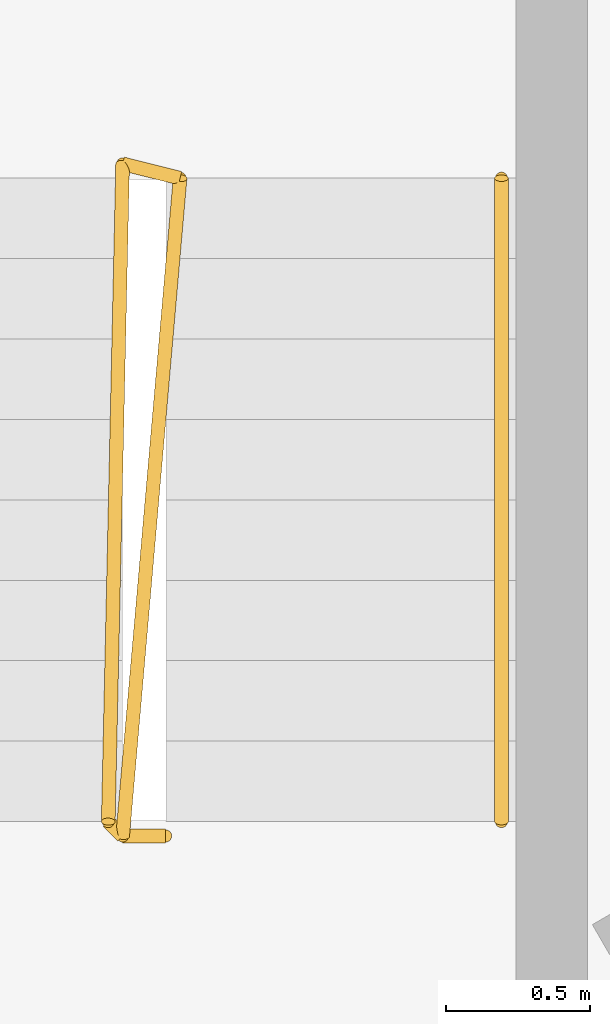
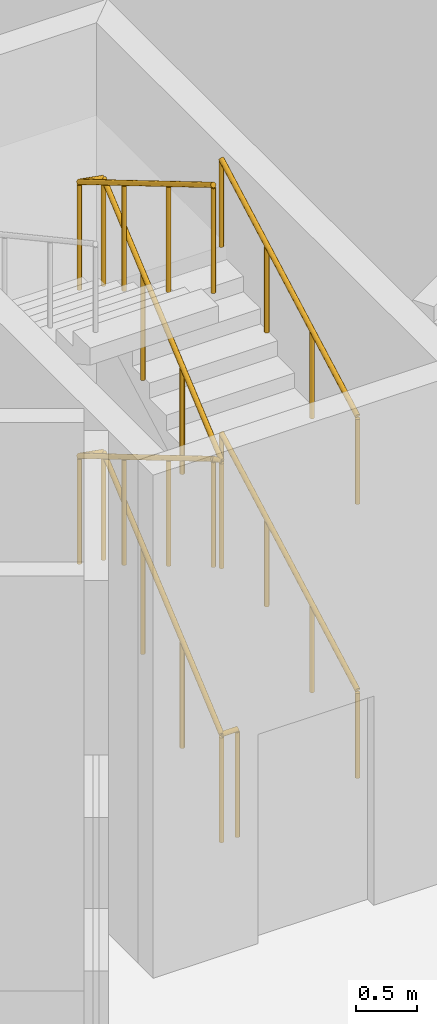
# One storey, part 9 of 10: 3 railings.
"""IFC4 building model written with IfcOpenShell, lengths in metres."""

from ifc_helpers import new_model, si_unit, direction, frame, origin, origin_2d, place, context, subcontext, project, spatial, circle, extrude, material, type_object, element, save


model = new_model("IFC4")

# Units and contexts
model_context = context("Model", 3, precision=1e-05, world=origin(), true_north=direction((0.0, 1.0)))
body_context = subcontext(model_context, "Body", "Model", "MODEL_VIEW")
ifc_project = project(units=[si_unit("LENGTHUNIT", "METRE"), si_unit("AREAUNIT", "SQUARE_METRE"), si_unit("VOLUMEUNIT", "CUBIC_METRE"), si_unit("PLANEANGLEUNIT", "RADIAN"), si_unit("MASSUNIT", "GRAM", prefix="KILO")], contexts=[model_context])

# Site, building, storey
site_placement = place(None, origin())
site = spatial("IfcSite", under=ifc_project, at=site_placement, CompositionType="ELEMENT")
building_placement = place(site_placement, origin())
building = spatial("IfcBuilding", under=site, at=building_placement, Name="Cormorant Prow Tower", CompositionType="ELEMENT")
storey_placement = place(building_placement, frame((0.0, 0.0, 10.0)))
storey = spatial("IfcBuildingStorey", under=building, at=storey_placement, Name="L01", CompositionType="ELEMENT", Elevation=10.0)

# Railings
ifc_material_1 = material(Name="Stainless steel", Category="steel")
railing_type_1 = type_object("IfcRailingType", Name="Stair guard 1100", PredefinedType="GUARDRAIL", material=ifc_material_1)
railing_placement = place(storey_placement, frame((0.074951171875, 6.40576171875, 0.0)))
element("IfcRailing", 1, at=railing_placement, inside=storey, type_object=railing_type_1, Name="L01 ST3 stair guard 1", PredefinedType="GUARDRAIL", context=body_context, shape_type="SweptSolid", body=[
    extrude(circle(Radius=0.02392578125, at=origin_2d()), frame((0.0, 0.0, 1.076171875), z_axis=(-1.0, 0.0, 0.0), x_axis=(0.0, -1.0, 0.0)), (0.0, 0.0, 1.0), 0.14990234375),
    extrude(circle(Radius=0.02392578125, at=origin_2d()), frame((-0.14990234375, 0.0, 1.076171875), z_axis=(0.074647711907, 0.854939606461, 0.513328343666), x_axis=(-0.996209839609, 0.086982500921, 0.0)), (0.0, 0.0, 1.0), 2.6787109375),
    extrude(circle(Radius=0.02392578125, at=origin_2d()), frame((0.050048828125, 2.2900390625, 2.451171875), z_axis=(-0.970072785993, 0.242814311512, 0.0), x_axis=(-0.242814311512, -0.970072785993, 0.0)), (0.0, 0.0, 1.0), 0.2060546875),
    extrude(circle(Radius=0.02392578125, at=origin_2d()), frame((-0.14990234375, 2.340087890625, 2.451171875), z_axis=(-0.018733702852, -0.857181135376, 0.514674216891), x_axis=(0.999761264773, -0.0218497931, 0.0)), (0.0, 0.0, 1.0), 2.671630859375),
    extrude(circle(Radius=0.02392578125, at=origin_2d()), frame((-0.199951171875, 0.050048828125, 3.826171875), z_axis=(0.707106781187, -0.707106781187, 0.0), x_axis=(0.707106781187, 0.707106781187, 0.0)), (0.0, 0.0, 1.0), 0.07080078125),
    extrude(circle(Radius=0.02392578125, at=origin_2d()), frame((-0.14990234375, 0.0, 3.826171875), z_axis=(0.074647711907, 0.854939606461, 0.513328343666), x_axis=(-0.996209839609, 0.086982500921, 0.0)), (0.0, 0.0, 1.0), 2.6787109375),
    extrude(circle(Radius=0.02392578125, at=origin_2d()), frame((0.050048828125, 2.2900390625, 5.201171875), z_axis=(-0.970072785993, 0.242814311512, 0.0), x_axis=(-0.242814311512, -0.970072785993, 0.0)), (0.0, 0.0, 1.0), 0.2060546875),
    extrude(circle(Radius=0.02392578125, at=origin_2d()), frame((-0.14990234375, 2.340087890625, 5.201171875), z_axis=(-0.018733702852, -0.857181135376, 0.514674216891), x_axis=(0.999761264773, -0.0218497931, 0.0)), (0.0, 0.0, 1.0), 2.671630859375),
    extrude(circle(Radius=0.02099609375, at=origin_2d()), origin(), (0.0, 0.0, 1.0), 1.052001953125),
    extrude(circle(Radius=0.02099609375, at=origin_2d()), frame((-0.14990234375, 0.0, 0.0)), (0.0, 0.0, 1.0), 1.052001953125),
    extrude(circle(Radius=0.02099609375, at=origin_2d()), frame((-0.083251953125, 0.763427734375, 0.458251953125)), (0.0, 0.0, 1.0), 1.052001953125),
    extrude(circle(Radius=0.02099609375, at=origin_2d()), frame((-0.0166015625, 1.526611328125, 0.916748046875)), (0.0, 0.0, 1.0), 1.052001953125),
    extrude(circle(Radius=0.02099609375, at=origin_2d()), frame((0.050048828125, 2.2900390625, 1.375)), (0.0, 0.0, 1.0), 1.052001953125),
    extrude(circle(Radius=0.02099609375, at=origin_2d()), frame((-0.14990234375, 2.340087890625, 1.375)), (0.0, 0.0, 1.0), 1.052001953125),
    extrude(circle(Radius=0.02099609375, at=origin_2d()), frame((-0.16650390625, 1.57666015625, 1.833251953125)), (0.0, 0.0, 1.0), 1.052001953125),
    extrude(circle(Radius=0.02099609375, at=origin_2d()), frame((-0.183349609375, 0.8134765625, 2.291748046875)), (0.0, 0.0, 1.0), 1.052001953125),
    extrude(circle(Radius=0.02099609375, at=origin_2d()), frame((-0.199951171875, 0.050048828125, 2.75)), (0.0, 0.0, 1.0), 1.052001953125),
    extrude(circle(Radius=0.02099609375, at=origin_2d()), frame((-0.14990234375, 0.0, 2.75)), (0.0, 0.0, 1.0), 1.052001953125),
    extrude(circle(Radius=0.02099609375, at=origin_2d()), frame((-0.083251953125, 0.763427734375, 3.208251953125)), (0.0, 0.0, 1.0), 1.052001953125),
    extrude(circle(Radius=0.02099609375, at=origin_2d()), frame((-0.0166015625, 1.526611328125, 3.666748046875)), (0.0, 0.0, 1.0), 1.052001953125),
    extrude(circle(Radius=0.02099609375, at=origin_2d()), frame((0.050048828125, 2.2900390625, 4.125)), (0.0, 0.0, 1.0), 1.052001953125),
    extrude(circle(Radius=0.02099609375, at=origin_2d()), frame((-0.14990234375, 2.340087890625, 4.125)), (0.0, 0.0, 1.0), 1.052001953125),
    extrude(circle(Radius=0.02099609375, at=origin_2d()), frame((-0.16650390625, 1.57666015625, 4.583251953125)), (0.0, 0.0, 1.0), 1.052001953125),
    extrude(circle(Radius=0.02099609375, at=origin_2d()), frame((-0.183349609375, 0.8134765625, 5.041748046875)), (0.0, 0.0, 1.0), 1.052001953125),
    extrude(circle(Radius=0.02099609375, at=origin_2d()), frame((-0.199951171875, 0.050048828125, 5.5)), (0.0, 0.0, 1.0), 1.052001953125),
])
ifc_material_2 = material(Name="Stainless steel", Category="steel")
railing_type_2 = type_object("IfcRailingType", Name="Stair handrail 900", PredefinedType="HANDRAIL", material=ifc_material_2)
for number, where, name in (
    (2, (1.243896484375, 6.455810546875, 0.15283203125), "L01 ST3 stair handrail 1"),
    (3, (1.243896484375, 6.455810546875, 2.90283203125), "L01 ST3 stair handrail 3"),
):
    element("IfcRailing", number, at=place(storey_placement, frame(where)), inside=storey, type_object=railing_type_2, Name=name, PredefinedType="HANDRAIL", context=body_context, shape_type="SweptSolid", body=[
        extrude(circle(Radius=0.02392578125, at=origin_2d()), frame((0.0, 0.0, 0.8759765625), z_axis=(0.0, 0.87783706319, 0.478959382924), x_axis=(-1.0, 0.0, 0.0)), (0.0, 0.0, 1.0), 2.5517578125),
        extrude(circle(Radius=0.02099609375, at=origin_2d()), origin(), (0.0, 0.0, 1.0), 0.851806640625),
        extrude(circle(Radius=0.02099609375, at=origin_2d()), frame((0.0, 0.74658203125, 0.407470703125)), (0.0, 0.0, 1.0), 0.851806640625),
        extrude(circle(Radius=0.02099609375, at=origin_2d()), frame((0.0, 1.493408203125, 0.814697265625)), (0.0, 0.0, 1.0), 0.851806640625),
        extrude(circle(Radius=0.02099609375, at=origin_2d()), frame((0.0, 2.239990234375, 1.22216796875)), (0.0, 0.0, 1.0), 0.851806640625),
    ])

save(model, "model.ifc")
